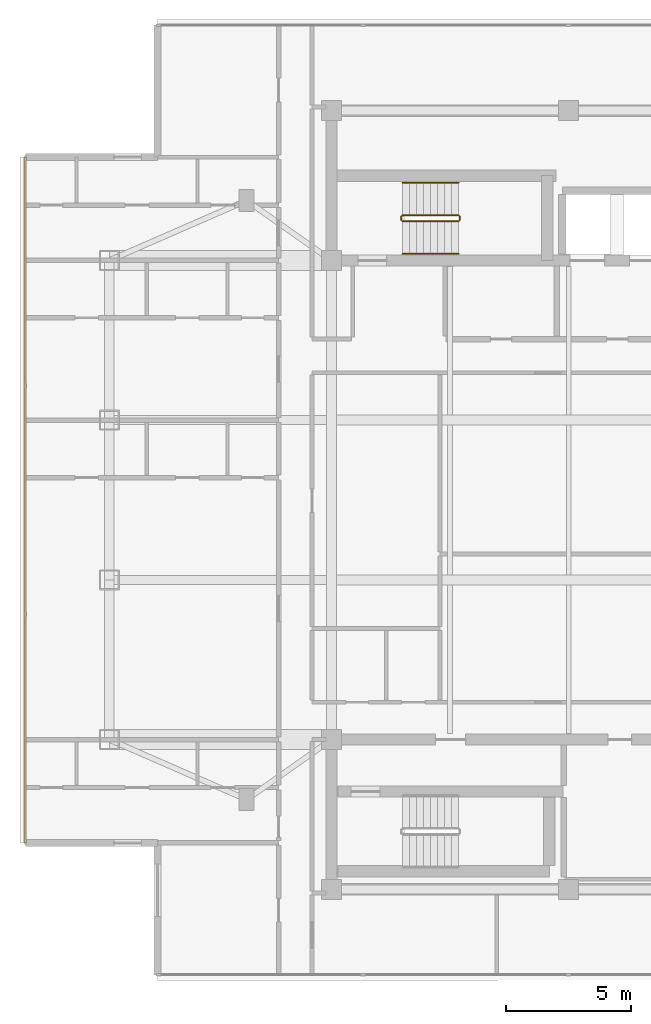
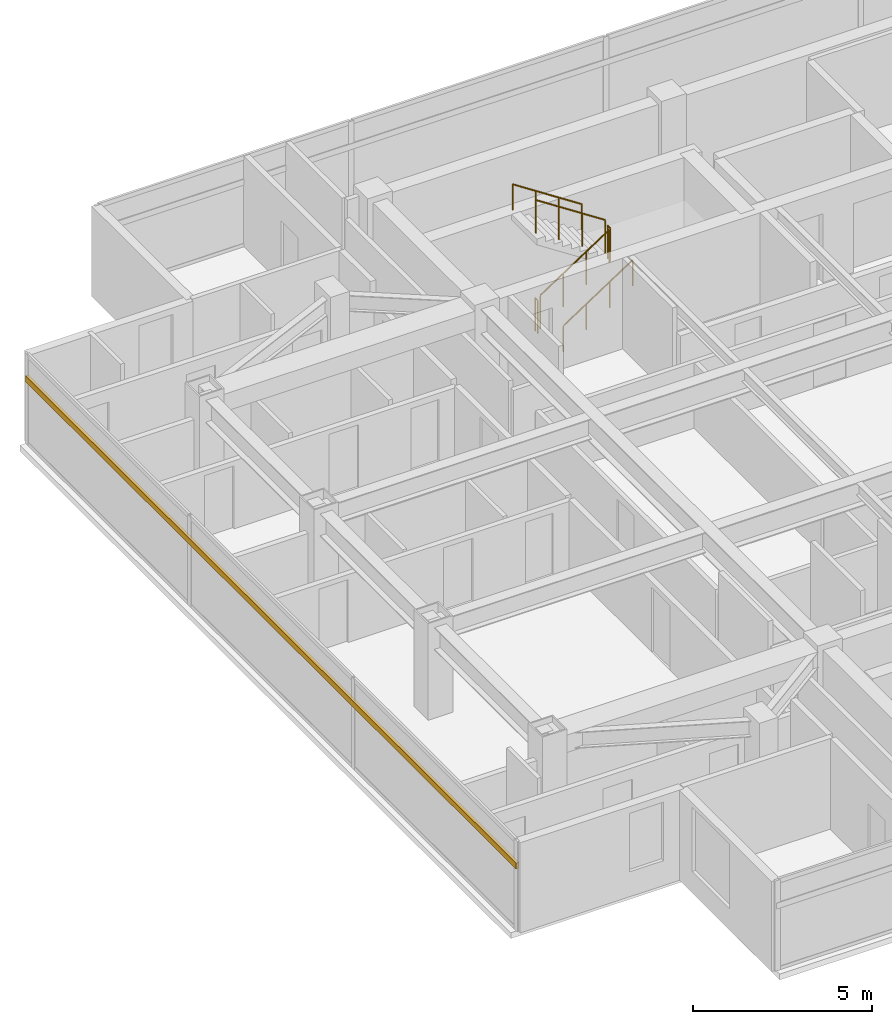
# One storey, part 13 of 14: 6 railings, 1 shading device.
"""IFC4 building model written with IfcOpenShell, lengths in metres."""

from ifc_helpers import new_model, si_unit, direction, frame, origin, origin_2d, place, context, subcontext, project, spatial, rectangle, circle, extrude, material, material_profile, profile_set, type_object, element, save


model = new_model("IFC4")

# Units and contexts
model_context = context("Model", 3, precision=1e-05, world=origin(), true_north=direction((0.0, 1.0)))
body_context = subcontext(model_context, "Body", "Model", "MODEL_VIEW")
ifc_project = project(units=[si_unit("LENGTHUNIT", "METRE"), si_unit("AREAUNIT", "SQUARE_METRE"), si_unit("VOLUMEUNIT", "CUBIC_METRE"), si_unit("PLANEANGLEUNIT", "RADIAN"), si_unit("MASSUNIT", "GRAM", prefix="KILO")], contexts=[model_context])

# Site, building, storey
site_placement = place(None, origin())
site = spatial("IfcSite", under=ifc_project, at=site_placement, CompositionType="ELEMENT")
building_placement = place(site_placement, origin())
building = spatial("IfcBuilding", under=site, at=building_placement, Name="Mirazonda Arch Towers", CompositionType="ELEMENT")
storey_placement = place(building_placement, frame((0.0, 0.0, 239.199951171875)))
storey = spatial("IfcBuildingStorey", under=building, at=storey_placement, Name="L68", CompositionType="ELEMENT", Elevation=239.199951171875)

# Shading device
ifc_material_1 = material(Name="Kiln-Fired Architectural Terracotta", Category="masonry")
ifc_material_profile = material_profile(ifc_material_1, rectangle(XDim=0.10009765625, YDim=0.199951171875, at=origin_2d()), Name="TERRA-BAG-100x200")
ifc_profile_set = profile_set([ifc_material_profile], Name="Kiln-Fired Architectural Terracotta")
shading_device_type = type_object("IfcShadingDeviceType", Name="BAGUETTE-2", PredefinedType="USERDEFINED", material=ifc_profile_set)
shading_device_placement = place(storey_placement, frame((-1.260009765625, 41.738037109375, 2.217529296875), z_axis=(0.0, -1.0, 0.0), x_axis=(1.0, 0.0, 0.0)))
element("IfcShadingDevice", 1, at=shading_device_placement, inside=storey, type_object=shading_device_type, Name="L68 Glazed Terracotta Sun-Screen Baguette CW-L68-T1-W", ObjectType="BAGUETTE", PredefinedType="USERDEFINED", context=body_context, shape_type="SweptSolid", body=[
    extrude(rectangle(XDim=0.10009765625, YDim=0.199951171875, at=origin_2d()), origin(), (0.0, 0.0, 1.0), 27.47607421875),
])

# Railings
ifc_material_2 = material(Name="Architectural Brushed Steel S355", Category="steel")
railing_type_1 = type_object("IfcRailingType", Name="GUARD-STAIR-1120", PredefinedType="GUARDRAIL", material=ifc_material_2)
railing_1_placement = place(storey_placement, frame((13.85009765625, 39.169921875, 0.183349609375)))
element("IfcRailing", 2, at=railing_1_placement, inside=storey, type_object=railing_type_1, Name="L68 ST-T1N stair guard 1", PredefinedType="GUARDRAIL", context=body_context, shape_type="SweptSolid", body=[
    extrude(circle(Radius=0.02392578125, at=origin_2d()), frame((0.0, 0.0, 1.1259765625), z_axis=(0.836595146698, 0.0, 0.547821650285), x_axis=(0.0, 1.0, 0.0)), (0.0, 0.0, 1.0), 2.677490234375),
    extrude(circle(Radius=0.02099609375, at=origin_2d()), origin(), (0.0, 0.0, 1.0), 1.101806640625),
    extrude(circle(Radius=0.02099609375, at=origin_2d()), frame((0.74658203125, 0.0, 0.489013671875)), (0.0, 0.0, 1.0), 1.101806640625),
    extrude(circle(Radius=0.02099609375, at=origin_2d()), frame((1.493408203125, 0.0, 0.977783203125)), (0.0, 0.0, 1.0), 1.101806640625),
    extrude(circle(Radius=0.02099609375, at=origin_2d()), frame((2.239990234375, 0.0, 1.466796875)), (0.0, 0.0, 1.0), 1.101806640625),
])
railing_2_placement = place(storey_placement, frame((16.139892578125, 39.219970703125, 1.650146484375)))
element("IfcRailing", 3, at=railing_2_placement, inside=storey, type_object=railing_type_1, Name="L68 ST-T1N stair guard 2", PredefinedType="GUARDRAIL", context=body_context, shape_type="SweptSolid", body=[
    extrude(circle(Radius=0.02392578125, at=origin_2d()), frame((0.0, 0.0, 1.1259765625), z_axis=(0.0, 1.0, 0.0), x_axis=(-1.0, 0.0, 0.0)), (0.0, 0.0, 1.0), 0.14013671875),
    extrude(circle(Radius=0.02099609375, at=origin_2d()), origin(), (0.0, 0.0, 1.0), 1.101806640625),
    extrude(circle(Radius=0.02099609375, at=origin_2d()), frame((0.0, 0.14013671875, 0.0)), (0.0, 0.0, 1.0), 1.101806640625),
])
railing_3_placement = place(storey_placement, frame((16.090087890625, 39.409912109375, 1.83349609375)))
element("IfcRailing", 4, at=railing_3_placement, inside=storey, type_object=railing_type_1, Name="L68 ST-T1N stair guard 3", PredefinedType="GUARDRAIL", context=body_context, shape_type="SweptSolid", body=[
    extrude(circle(Radius=0.02392578125, at=origin_2d()), frame((0.0, 0.0, 1.1259765625), z_axis=(-0.836636935527, 0.0, 0.547757827979), x_axis=(0.0, -1.0, 0.0)), (0.0, 0.0, 1.0), 2.677490234375),
    extrude(circle(Radius=0.02099609375, at=origin_2d()), origin(), (0.0, 0.0, 1.0), 1.101806640625),
    extrude(circle(Radius=0.02099609375, at=origin_2d()), frame((-0.74658203125, 0.0, 0.48876953125)), (0.0, 0.0, 1.0), 1.101806640625),
    extrude(circle(Radius=0.02099609375, at=origin_2d()), frame((-1.493408203125, 0.0, 0.977783203125)), (0.0, 0.0, 1.0), 1.101806640625),
    extrude(circle(Radius=0.02099609375, at=origin_2d()), frame((-2.239990234375, 0.0, 1.466552734375)), (0.0, 0.0, 1.0), 1.101806640625),
])
railing_4_placement = place(storey_placement, frame((13.800048828125, 39.219970703125, 0.0)))
element("IfcRailing", 5, at=railing_4_placement, inside=storey, type_object=railing_type_1, Name="L68 ST-T1N stair guard 4", PredefinedType="GUARDRAIL", context=body_context, shape_type="SweptSolid", body=[
    extrude(circle(Radius=0.02392578125, at=origin_2d()), frame((0.0, 0.0, 1.1259765625), z_axis=(0.0, 1.0, 0.0), x_axis=(-1.0, 0.0, 0.0)), (0.0, 0.0, 1.0), 0.14013671875),
    extrude(circle(Radius=0.02099609375, at=origin_2d()), origin(), (0.0, 0.0, 1.0), 1.101806640625),
    extrude(circle(Radius=0.02099609375, at=origin_2d()), frame((0.0, 0.14013671875, 0.0)), (0.0, 0.0, 1.0), 1.101806640625),
])
railing_type_2 = type_object("IfcRailingType", Name="HANDRAIL-915", PredefinedType="HANDRAIL", material=ifc_material_2)
railing_5_placement = place(storey_placement, frame((13.85009765625, 37.8701171875, 0.183349609375)))
element("IfcRailing", 6, at=railing_5_placement, inside=storey, type_object=railing_type_2, Name="L68 ST-T1N stair handrail 1", PredefinedType="HANDRAIL", context=body_context, shape_type="SweptSolid", body=[
    extrude(circle(Radius=0.02392578125, at=origin_2d()), frame((0.0, 0.0, 0.8759765625), z_axis=(0.836595146698, 0.0, 0.547821650285), x_axis=(0.0, 1.0, 0.0)), (0.0, 0.0, 1.0), 2.677490234375),
    extrude(circle(Radius=0.02099609375, at=origin_2d()), origin(), (0.0, 0.0, 1.0), 0.851806640625),
    extrude(circle(Radius=0.02099609375, at=origin_2d()), frame((0.74658203125, 0.0, 0.489013671875)), (0.0, 0.0, 1.0), 0.851806640625),
    extrude(circle(Radius=0.02099609375, at=origin_2d()), frame((1.493408203125, 0.0, 0.977783203125)), (0.0, 0.0, 1.0), 0.851806640625),
    extrude(circle(Radius=0.02099609375, at=origin_2d()), frame((2.239990234375, 0.0, 1.466796875)), (0.0, 0.0, 1.0), 0.851806640625),
])
railing_6_placement = place(storey_placement, frame((16.090087890625, 40.7099609375, 1.83349609375)))
element("IfcRailing", 7, at=railing_6_placement, inside=storey, type_object=railing_type_2, Name="L68 ST-T1N stair handrail 2", PredefinedType="HANDRAIL", context=body_context, shape_type="SweptSolid", body=[
    extrude(circle(Radius=0.02392578125, at=origin_2d()), frame((0.0, 0.0, 0.8759765625), z_axis=(-0.836636935527, 0.0, 0.547757827979), x_axis=(0.0, -1.0, 0.0)), (0.0, 0.0, 1.0), 2.677490234375),
    extrude(circle(Radius=0.02099609375, at=origin_2d()), origin(), (0.0, 0.0, 1.0), 0.851806640625),
    extrude(circle(Radius=0.02099609375, at=origin_2d()), frame((-0.74658203125, 0.0, 0.48876953125)), (0.0, 0.0, 1.0), 0.851806640625),
    extrude(circle(Radius=0.02099609375, at=origin_2d()), frame((-1.493408203125, 0.0, 0.977783203125)), (0.0, 0.0, 1.0), 0.851806640625),
    extrude(circle(Radius=0.02099609375, at=origin_2d()), frame((-2.239990234375, 0.0, 1.466552734375)), (0.0, 0.0, 1.0), 0.851806640625),
])

save(model, "model.ifc")
